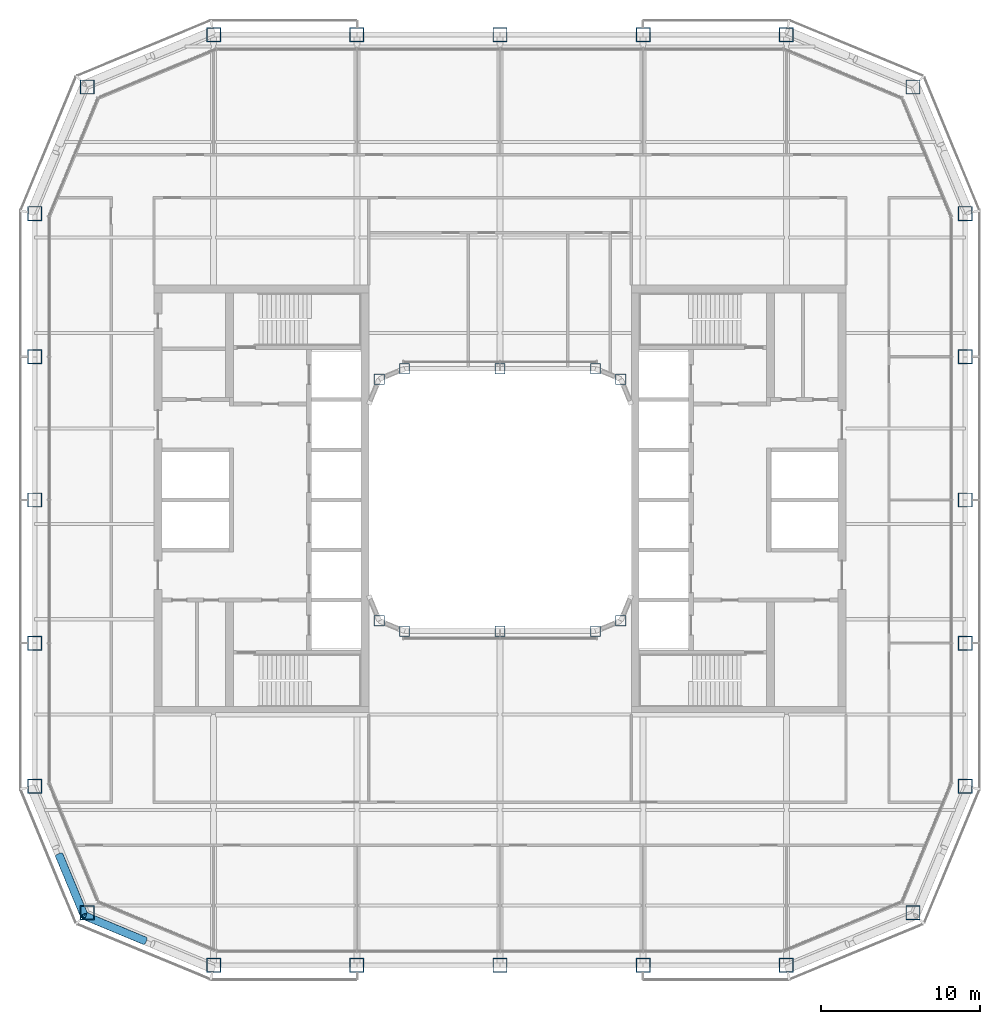
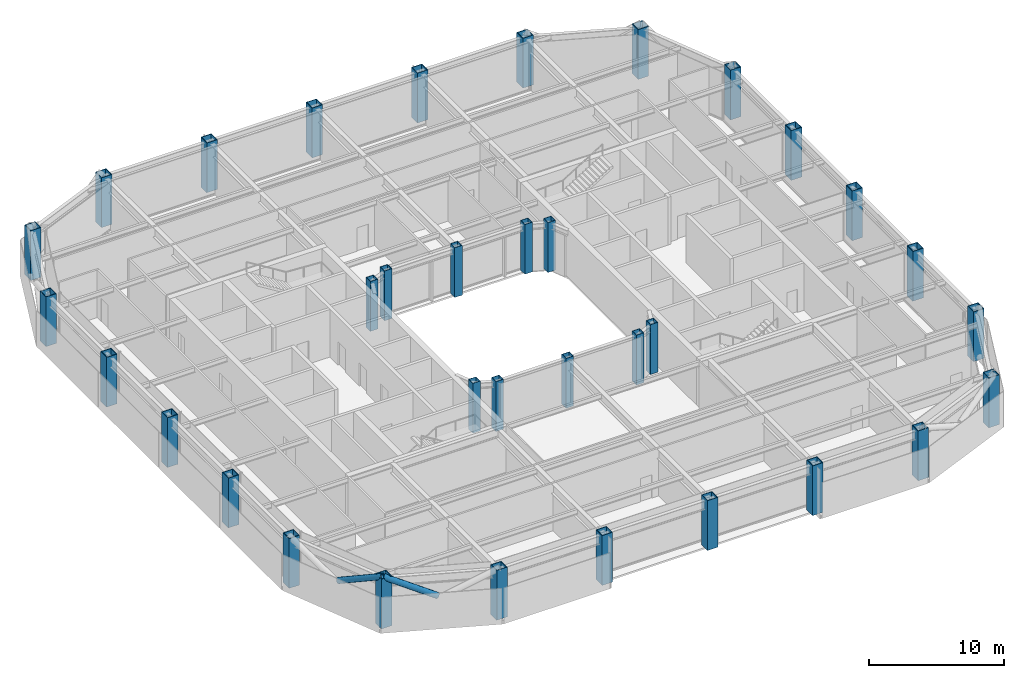
# One storey, part 1 of 21: 34 columns, 2 members.
"""IFC4 building model written with IfcOpenShell, lengths in metres."""

from ifc_helpers import new_model, si_unit, direction, frame, origin, origin_2d, place, context, subcontext, project, spatial, hollow_rectangle, hollow_circle, extrude, material, material_profile, profile_set, type_object, element, save


model = new_model("IFC4")

# Units and contexts
model_context = context("Model", 3, precision=1e-05, world=origin(), true_north=direction((0.0, 1.0)))
body_context = subcontext(model_context, "Body", "Model", "MODEL_VIEW")
ifc_project = project(units=[si_unit("LENGTHUNIT", "METRE"), si_unit("AREAUNIT", "SQUARE_METRE"), si_unit("VOLUMEUNIT", "CUBIC_METRE"), si_unit("PLANEANGLEUNIT", "RADIAN"), si_unit("MASSUNIT", "GRAM", prefix="KILO")], contexts=[model_context])

# Site, building, storey
site_placement = place(None, origin())
site = spatial("IfcSite", under=ifc_project, at=site_placement, CompositionType="ELEMENT")
building_placement = place(site_placement, origin())
building = spatial("IfcBuilding", under=site, at=building_placement, Name="Siwar Civic Tower", CompositionType="ELEMENT")
storey_placement = place(building_placement, frame((0.0, 0.0, 176.699951171875)))
storey = spatial("IfcBuildingStorey", under=building, at=storey_placement, Name="L38", CompositionType="ELEMENT", Elevation=176.699951171875)

# Columns
ifc_material_1 = material(Name="Steel S355", Category="steel")
ifc_material_profile_1 = material_profile(ifc_material_1, hollow_rectangle(XDim=0.89990234375, YDim=0.89990234375, WallThickness=0.050048828125, at=origin_2d()), Name="BOX900x900x50")
ifc_profile_set_1 = profile_set([ifc_material_profile_1], Name="Steel S355")
column_type_1 = type_object("IfcColumnType", Name="STR-COL-BOX900x900x50", PredefinedType="COLUMN", material=ifc_profile_set_1)
for number, where, z_axis, x_axis, name in (
    (1, (-18.0, -29.25, 0.0), (0.0, 0.0, 1.0), (1.0, 0.0, 0.0), "L38/col/S-0"),
    (2, (-9.0, -29.25, 0.0), (0.0, 0.0, 1.0), (1.0, 0.0, 0.0), "L38/col/S-1"),
    (3, (0.0, -29.25, 0.0), (0.0, 0.0, 1.0), (1.0, 0.0, 0.0), "L38/col/S-2"),
    (4, (9.0, -29.25, 0.0), (0.0, 0.0, 1.0), (1.0, 0.0, 0.0), "L38/col/S-3"),
    (5, (18.0, -29.25, 0.0), (0.0, 0.0, 1.0), (1.0, 0.0, 0.0), "L38/col/SE1-0"),
    (6, (25.954833984375, -25.954833984375, 0.0), (0.0, 0.0, 1.0), (1.0, 0.0, 0.0), "L38/col/SE2-0"),
    (7, (29.25, -18.0, 0.0), (0.0, 0.0, 1.0), (1.0, 0.0, 0.0), "L38/col/E-0"),
    (8, (29.25, -9.0, 0.0), (0.0, 0.0, 1.0), (1.0, 0.0, 0.0), "L38/col/E-1"),
    (9, (29.25, 0.0, 0.0), (0.0, 0.0, 1.0), (1.0, 0.0, 0.0), "L38/col/E-2"),
    (10, (29.25, 9.0, 0.0), (0.0, 0.0, 1.0), (1.0, 0.0, 0.0), "L38/col/E-3"),
    (11, (29.25, 18.0, 0.0), (0.0, 0.0, 1.0), (1.0, 0.0, 0.0), "L38/col/NE1-0"),
    (12, (25.954833984375, 25.954833984375, 0.0), (0.0, 0.0, 1.0), (1.0, 0.0, 0.0), "L38/col/NE2-0"),
    (13, (18.0, 29.25, 0.0), (0.0, 0.0, 1.0), (1.0, 0.0, 0.0), "L38/col/N-0"),
    (14, (9.0, 29.25, 0.0), (0.0, 0.0, 1.0), (1.0, 0.0, 0.0), "L38/col/N-1"),
    (15, (0.0, 29.25, 0.0), (0.0, 0.0, 1.0), (1.0, 0.0, 0.0), "L38/col/N-2"),
    (16, (-9.0, 29.25, 0.0), (0.0, 0.0, 1.0), (1.0, 0.0, 0.0), "L38/col/N-3"),
    (17, (-18.0, 29.25, 0.0), (0.0, 0.0, 1.0), (1.0, 0.0, 0.0), "L38/col/NW1-0"),
    (18, (-25.954833984375, 25.954833984375, 0.0), (0.0, 0.0, 1.0), (1.0, 0.0, 0.0), "L38/col/NW2-0"),
    (19, (-29.25, 18.0, 0.0), (0.0, 0.0, 1.0), (1.0, 0.0, 0.0), "L38/col/W-0"),
    (20, (-29.25, 9.0, 0.0), (0.0, 0.0, 1.0), (1.0, 0.0, 0.0), "L38/col/W-1"),
    (21, (-29.25, 0.0, 0.0), (0.0, 0.0, 1.0), (1.0, 0.0, 0.0), "L38/col/W-2"),
    (22, (-29.25, -9.0, 0.0), (0.0, 0.0, 1.0), (1.0, 0.0, 0.0), "L38/col/W-3"),
    (23, (-29.25, -18.0, 0.0), (0.0, 0.0, 1.0), (1.0, 0.0, 0.0), "L38/col/SW1-0"),
    (24, (-25.954833984375, -25.954833984375, 0.0), (0.0, 0.0, 1.0), (1.0, 0.0, 0.0), "L38/col/SW2-0"),
):
    element("IfcColumn", number, at=place(storey_placement, frame(where, z_axis=z_axis, x_axis=x_axis)), inside=storey, type_object=column_type_1, Name=name, PredefinedType="COLUMN", context=body_context, shape_type="SweptSolid", body=[
        extrude(hollow_rectangle(XDim=0.89990234375, YDim=0.89990234375, WallThickness=0.050048828125, at=origin_2d()), origin(), (0.0, 0.0, 1.0), 4.5),
    ])
ifc_material_2 = material(Name="Steel S355", Category="steel")
ifc_material_profile_2 = material_profile(ifc_material_2, hollow_rectangle(XDim=0.64990234375, YDim=0.64990234375, WallThickness=0.035888671875, at=origin_2d()), Name="BOX650x650x36")
ifc_profile_set_2 = profile_set([ifc_material_profile_2], Name="Steel S355")
column_type_2 = type_object("IfcColumnType", Name="STR-ICOL-BOX650x650x36", PredefinedType="COLUMN", material=ifc_profile_set_2)
for number, where, z_axis, x_axis, name in (
    (25, (-7.591064453125, -7.591064453125, 0.0), (0.0, 0.0, 1.0), (1.0, 0.0, 0.0), "L38/col/IS-0"),
    (26, (-6.0, -8.25, 0.0), (0.0, 0.0, 1.0), (1.0, 0.0, 0.0), "L38/col/IS-1"),
    (27, (0.0, -8.25, 0.0), (0.0, 0.0, 1.0), (1.0, 0.0, 0.0), "L38/col/IS-2"),
    (28, (6.0, -8.25, 0.0), (0.0, 0.0, 1.0), (1.0, 0.0, 0.0), "L38/col/IS-3"),
    (29, (7.591064453125, -7.591064453125, 0.0), (0.0, 0.0, 1.0), (1.0, 0.0, 0.0), "L38/col/IS-4"),
    (30, (-7.591064453125, 7.591064453125, 0.0), (0.0, 0.0, 1.0), (1.0, 0.0, 0.0), "L38/col/IN-0"),
    (31, (-6.0, 8.25, 0.0), (0.0, 0.0, 1.0), (1.0, 0.0, 0.0), "L38/col/IN-1"),
    (32, (0.0, 8.25, 0.0), (0.0, 0.0, 1.0), (1.0, 0.0, 0.0), "L38/col/IN-2"),
    (33, (6.0, 8.25, 0.0), (0.0, 0.0, 1.0), (1.0, 0.0, 0.0), "L38/col/IN-3"),
    (34, (7.591064453125, 7.591064453125, 0.0), (0.0, 0.0, 1.0), (1.0, 0.0, 0.0), "L38/col/IN-4"),
):
    element("IfcColumn", number, at=place(storey_placement, frame(where, z_axis=z_axis, x_axis=x_axis)), inside=storey, type_object=column_type_2, Name=name, PredefinedType="COLUMN", context=body_context, shape_type="SweptSolid", body=[
        extrude(hollow_rectangle(XDim=0.64990234375, YDim=0.64990234375, WallThickness=0.035888671875, at=origin_2d()), origin(), (0.0, 0.0, 1.0), 4.5),
    ])

# Members
ifc_material_3 = material(Name="Steel S355", Category="steel")
ifc_material_profile_3 = material_profile(ifc_material_3, hollow_circle(Radius=0.25390625, WallThickness=0.02490234375, at=origin_2d()), Name="CHS508x25")
ifc_profile_set_3 = profile_set([ifc_material_profile_3], Name="Steel S355")
member_type = type_object("IfcMemberType", Name="STR-BR-CHS508x25", PredefinedType="BRACE", material=ifc_profile_set_3)
for number, where, z_axis, x_axis, name in (
    (35, (-22.342529296875, -27.70849609375, 2.390625), (-0.821163134736, 0.341670737976, 0.457112910516), (-0.384154943021, -0.923268638995, 0.0), "L38/brc/BSW1-17-0-3"),
    (36, (-27.70849609375, -22.342529296875, 2.390625), (0.341670737976, -0.821163134736, 0.457112910516), (0.923268638995, 0.384154943021, 0.0), "L38/brc/BSW1-17-0-5"),
):
    element("IfcMember", number, at=place(storey_placement, frame(where, z_axis=z_axis, x_axis=x_axis)), inside=storey, type_object=member_type, Name=name, PredefinedType="BRACE", context=body_context, shape_type="SweptSolid", body=[
        extrude(hollow_circle(Radius=0.25390625, WallThickness=0.02490234375, at=origin_2d()), origin(), (0.0, 0.0, 1.0), 4.614501953125),
    ])

save(model, "model.ifc")
